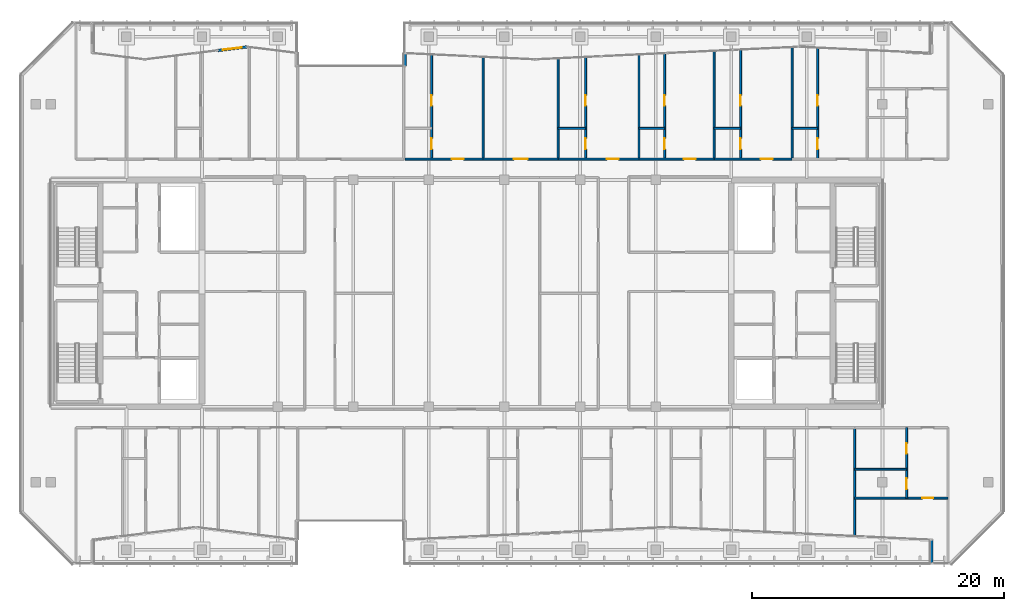
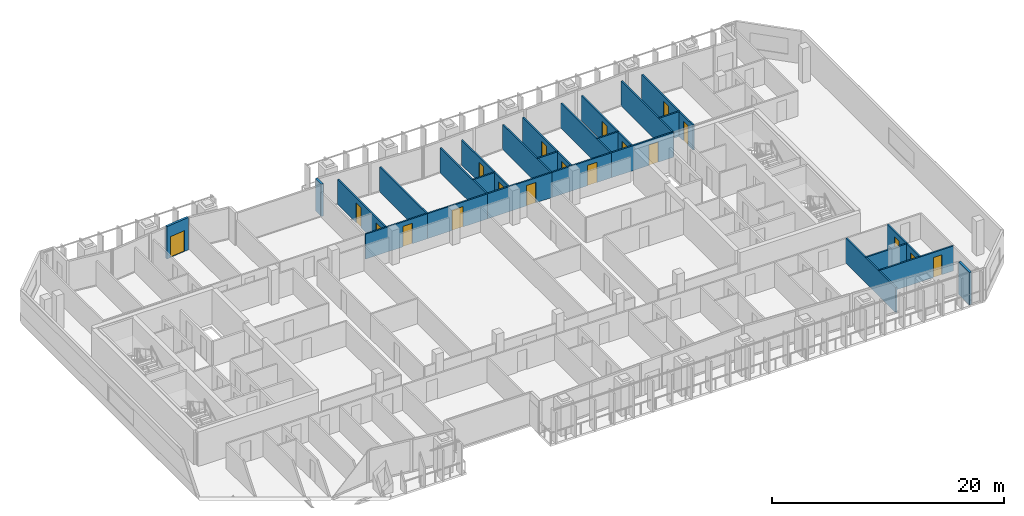
# One storey, part 24 of 31: 26 walls, 19 doors, 19 openings.
"""IFC4 building model written with IfcOpenShell, lengths in metres."""

from ifc_helpers import new_model, si_unit, direction, frame, frame_2d, origin, place, context, subcontext, project, spatial, rectangle, extrude, material, layer, layer_set, type_object, element, fill, save


model = new_model("IFC4")

# Units and contexts
model_context = context("Model", 3, precision=1e-05, world=origin(), true_north=direction((0.0, 1.0)))
body_context = subcontext(model_context, "Body", "Model", "MODEL_VIEW")
ifc_project = project(units=[si_unit("LENGTHUNIT", "METRE"), si_unit("AREAUNIT", "SQUARE_METRE"), si_unit("VOLUMEUNIT", "CUBIC_METRE"), si_unit("PLANEANGLEUNIT", "RADIAN"), si_unit("MASSUNIT", "GRAM", prefix="KILO")], contexts=[model_context])

# Site, building, storey
site_placement = place(None, origin())
site = spatial("IfcSite", under=ifc_project, at=site_placement, CompositionType="ELEMENT")
building_placement = place(site_placement, origin())
building = spatial("IfcBuilding", under=site, at=building_placement, Name="Tanjung Sevakor Pilgrim Tower", CompositionType="ELEMENT")
storey_placement = place(building_placement, frame((0.0, 0.0, 208.22998046875)))
storey = spatial("IfcBuildingStorey", under=building, at=storey_placement, Name="L58", CompositionType="ELEMENT", Elevation=208.22998046875)

# Walls
ifc_material_1 = material(Name="Concrete C40/50", Category="concrete")
ifc_layer_1 = layer(ifc_material_1, 0.14990234375)
ifc_layer_set_1 = layer_set([ifc_layer_1], Name="WT-COMP-150")
wall_type_1 = type_object("IfcWallType", Name="WT-COMP-150", PredefinedType="SOLIDWALL", material=ifc_layer_set_1)
wall_1_placement = place(storey_placement, frame((87.79150390625, 14.32763671875, 0.0), z_axis=(0.0, 0.0, 1.0), x_axis=(0.0, 1.0, 0.0)))
element("IfcWall", 1, at=wall_1_placement, inside=storey, type_object=wall_type_1, Name="L58 Partition IW-L58-086", PredefinedType="SOLIDWALL", context=body_context, shape_type="SweptSolid", body=[
    extrude(rectangle(XDim=8.622314453125, YDim=0.14990234375, at=frame_2d((4.31103515625, 0.0))), origin(), (0.0, 0.0, 1.0), 2.6298828125),
])
wall_2_placement = place(storey_placement, frame((58.306884765625, 44.25, 0.0), z_axis=(0.0, 0.0, 1.0), x_axis=(0.0, 1.0, 0.0)))
element("IfcWall", 2, at=wall_2_placement, inside=storey, type_object=wall_type_1, Name="L58 Partition IW-L58-105", PredefinedType="SOLIDWALL", context=body_context, shape_type="SweptSolid", body=[
    extrude(rectangle(XDim=8.108154296875, YDim=0.14990234375, at=frame_2d((4.05419921875, 0.0))), origin(), (0.0, 0.0, 1.0), 2.6298828125),
])

# Wall, opening, door
wall_3_placement = place(storey_placement, frame((52.1201171875, 44.25, 0.0), z_axis=(0.0, 0.0, 1.0), x_axis=(1.0, 0.0, 0.0)))
wall_3 = element("IfcWall", 3, at=wall_3_placement, inside=storey, type_object=wall_type_1, Name="L58 Partition IW-L58-108", PredefinedType="SOLIDWALL", context=body_context, shape_type="SweptSolid", body=[
    extrude(rectangle(XDim=6.186767578125, YDim=0.14990234375, at=frame_2d((3.09326171875, 0.0))), origin(), (0.0, 0.0, 1.0), 2.6298828125),
])
opening_1_placement = place(wall_3_placement, frame((3.710205078125, 0.0, 0.0)))
opening_1 = element("IfcOpeningElement", 4, at=opening_1_placement, cuts=wall_3, Name="Opening ID-FD2", PredefinedType="OPENING", context=body_context, shape_type="SweptSolid", body=[
    extrude(rectangle(XDim=0.949951171875, YDim=2.14990234375, at=frame_2d((0.47509765625, 1.074951171875))), frame((0.0, 0.0849609375, 0.0), z_axis=(0.0, -1.0, 0.0), x_axis=(1.0, 0.0, 0.0)), (0.0, 0.0, 1.0), 0.169921875),
])
ifc_material_2 = material(Name="Fire-Rated Timber", Category="wood")
door_type_1 = type_object("IfcDoorType", Name="DT-FIRE-950", OperationType="NOTDEFINED", PredefinedType="DOOR", material=ifc_material_2)
door_1_placement = place(opening_1_placement, origin())
door_1 = element("IfcDoor", 5, at=door_1_placement, inside=storey, type_object=door_type_1, Name="Hostel Quad Entrance", OperationType="SINGLE_SWING_LEFT", OverallHeight=2.14990234375, OverallWidth=0.949951171875, PredefinedType="DOOR", context=body_context, shape_type="SweptSolid", body=[
    extrude(rectangle(XDim=0.949951171875, YDim=2.14990234375, at=frame_2d((0.47509765625, 1.074951171875))), frame((0.0, 0.02490234375, 0.0), z_axis=(0.0, -1.0, 0.0), x_axis=(1.0, 0.0, 0.0)), (0.0, 0.0, 1.0), 0.050048828125),
])
fill(opening_1, door_1)

# Wall
wall_4_placement = place(storey_placement, frame((64.264892578125, 44.25, 0.0), z_axis=(0.0, 0.0, 1.0), x_axis=(0.0, 1.0, 0.0)))
element("IfcWall", 6, at=wall_4_placement, inside=storey, type_object=wall_type_1, Name="L58 Partition IW-L58-109", PredefinedType="SOLIDWALL", context=body_context, shape_type="SweptSolid", body=[
    extrude(rectangle(XDim=7.99658203125, YDim=0.14990234375, at=frame_2d((3.998291015625, 0.0))), origin(), (0.0, 0.0, 1.0), 2.6298828125),
])

# Wall, opening, door
wall_5_placement = place(storey_placement, frame((58.306884765625, 44.25, 0.0), z_axis=(0.0, 0.0, 1.0), x_axis=(1.0, 0.0, 0.0)))
wall_5 = element("IfcWall", 7, at=wall_5_placement, inside=storey, type_object=wall_type_1, Name="L58 Partition IW-L58-110", PredefinedType="SOLIDWALL", context=body_context, shape_type="SweptSolid", body=[
    extrude(rectangle(XDim=5.9580078125, YDim=0.14990234375, at=frame_2d((2.97900390625, 0.0))), origin(), (0.0, 0.0, 1.0), 2.6298828125),
])
opening_2_placement = place(wall_5_placement, frame((2.428955078125, 0.0, 0.0)))
opening_2 = element("IfcOpeningElement", 8, at=opening_2_placement, cuts=wall_5, Name="Opening ID-FD0", PredefinedType="OPENING", context=body_context, shape_type="SweptSolid", body=[
    extrude(rectangle(XDim=1.10009765625, YDim=2.14990234375, at=frame_2d((0.550048828125, 1.074951171875))), frame((0.0, 0.0849609375, 0.0), z_axis=(0.0, -1.0, 0.0), x_axis=(1.0, 0.0, 0.0)), (0.0, 0.0, 1.0), 0.169921875),
])
ifc_material_3 = material(Name="Fire-Rated Steel S355J2", Category="steel")
door_type_2 = type_object("IfcDoorType", Name="DT-FIRE-1100", OperationType="NOTDEFINED", PredefinedType="DOOR", material=ifc_material_3)
door_2_placement = place(opening_2_placement, origin())
door_2 = element("IfcDoor", 9, at=door_2_placement, inside=storey, type_object=door_type_2, Name="Communal Lounge Door", OperationType="SINGLE_SWING_RIGHT", OverallHeight=2.14990234375, OverallWidth=1.10009765625, PredefinedType="DOOR", context=body_context, shape_type="SweptSolid", body=[
    extrude(rectangle(XDim=1.10009765625, YDim=2.14990234375, at=frame_2d((0.550048828125, 1.074951171875))), frame((0.0, 0.02490234375, 0.0), z_axis=(0.0, -1.0, 0.0), x_axis=(1.0, 0.0, 0.0)), (0.0, 0.0, 1.0), 0.050048828125),
])
fill(opening_2, door_2)

# Wall
wall_6_placement = place(storey_placement, frame((70.68115234375, 44.25, 0.0), z_axis=(0.0, 0.0, 1.0), x_axis=(0.0, 1.0, 0.0)))
element("IfcWall", 10, at=wall_6_placement, inside=storey, type_object=wall_type_1, Name="L58 Partition IW-L58-111", PredefinedType="SOLIDWALL", context=body_context, shape_type="SweptSolid", body=[
    extrude(rectangle(XDim=8.3037109375, YDim=0.14990234375, at=frame_2d((4.15185546875, 0.0))), origin(), (0.0, 0.0, 1.0), 2.6298828125),
])

# Wall, opening, door
wall_7_placement = place(storey_placement, frame((64.264892578125, 44.25, 0.0), z_axis=(0.0, 0.0, 1.0), x_axis=(1.0, 0.0, 0.0)))
wall_7 = element("IfcWall", 11, at=wall_7_placement, inside=storey, type_object=wall_type_1, Name="L58 Partition IW-L58-114", PredefinedType="SOLIDWALL", context=body_context, shape_type="SweptSolid", body=[
    extrude(rectangle(XDim=6.416259765625, YDim=0.14990234375, at=frame_2d((3.2080078125, 0.0))), origin(), (0.0, 0.0, 1.0), 2.6298828125),
])
opening_3_placement = place(wall_7_placement, frame((3.86376953125, 0.0, 0.0)))
opening_3 = element("IfcOpeningElement", 12, at=opening_3_placement, cuts=wall_7, Name="Opening ID-FD2", PredefinedType="OPENING", context=body_context, shape_type="SweptSolid", body=[
    extrude(rectangle(XDim=0.949951171875, YDim=2.14990234375, at=frame_2d((0.47509765625, 1.074951171875))), frame((0.0, 0.0849609375, 0.0), z_axis=(0.0, -1.0, 0.0), x_axis=(1.0, 0.0, 0.0)), (0.0, 0.0, 1.0), 0.169921875),
])
door_3_placement = place(opening_3_placement, origin())
door_3 = element("IfcDoor", 13, at=door_3_placement, inside=storey, type_object=door_type_1, Name="Hostel Quad Entrance", OperationType="SINGLE_SWING_LEFT", OverallHeight=2.14990234375, OverallWidth=0.949951171875, PredefinedType="DOOR", context=body_context, shape_type="SweptSolid", body=[
    extrude(rectangle(XDim=0.949951171875, YDim=2.14990234375, at=frame_2d((0.47509765625, 1.074951171875))), frame((0.0, 0.02490234375, 0.0), z_axis=(0.0, -1.0, 0.0), x_axis=(1.0, 0.0, 0.0)), (0.0, 0.0, 1.0), 0.050048828125),
])
fill(opening_3, door_3)

# Wall
wall_8_placement = place(storey_placement, frame((76.638916015625, 44.25, 0.0), z_axis=(0.0, 0.0, 1.0), x_axis=(0.0, 1.0, 0.0)))
element("IfcWall", 14, at=wall_8_placement, inside=storey, type_object=wall_type_1, Name="L58 Partition IW-L58-115", PredefinedType="SOLIDWALL", context=body_context, shape_type="SweptSolid", body=[
    extrude(rectangle(XDim=8.5888671875, YDim=0.14990234375, at=frame_2d((4.29443359375, 0.0))), origin(), (0.0, 0.0, 1.0), 2.6298828125),
])

# Wall, opening, door
wall_9_placement = place(storey_placement, frame((70.68115234375, 44.25, 0.0), z_axis=(0.0, 0.0, 1.0), x_axis=(1.0, 0.0, 0.0)))
wall_9 = element("IfcWall", 15, at=wall_9_placement, inside=storey, type_object=wall_type_1, Name="L58 Partition IW-L58-118", PredefinedType="SOLIDWALL", context=body_context, shape_type="SweptSolid", body=[
    extrude(rectangle(XDim=5.957763671875, YDim=0.14990234375, at=frame_2d((2.97900390625, 0.0))), origin(), (0.0, 0.0, 1.0), 2.6298828125),
])
opening_4_placement = place(wall_9_placement, frame((3.556884765625, 0.0, 0.0)))
opening_4 = element("IfcOpeningElement", 16, at=opening_4_placement, cuts=wall_9, Name="Opening ID-FD2", PredefinedType="OPENING", context=body_context, shape_type="SweptSolid", body=[
    extrude(rectangle(XDim=0.949951171875, YDim=2.14990234375, at=frame_2d((0.47509765625, 1.074951171875))), frame((0.0, 0.0849609375, 0.0), z_axis=(0.0, -1.0, 0.0), x_axis=(1.0, 0.0, 0.0)), (0.0, 0.0, 1.0), 0.169921875),
])
door_4_placement = place(opening_4_placement, origin())
door_4 = element("IfcDoor", 17, at=door_4_placement, inside=storey, type_object=door_type_1, Name="Hostel Quad Entrance", OperationType="SINGLE_SWING_RIGHT", OverallHeight=2.14990234375, OverallWidth=0.949951171875, PredefinedType="DOOR", context=body_context, shape_type="SweptSolid", body=[
    extrude(rectangle(XDim=0.949951171875, YDim=2.14990234375, at=frame_2d((0.47509765625, 1.074951171875))), frame((0.0, 0.02490234375, 0.0), z_axis=(0.0, -1.0, 0.0), x_axis=(1.0, 0.0, 0.0)), (0.0, 0.0, 1.0), 0.050048828125),
])
fill(opening_4, door_4)

# Wall
wall_10_placement = place(storey_placement, frame((82.825927734375, 44.25, 0.0), z_axis=(0.0, 0.0, 1.0), x_axis=(0.0, 1.0, 0.0)))
element("IfcWall", 18, at=wall_10_placement, inside=storey, type_object=wall_type_1, Name="L58 Partition IW-L58-119", PredefinedType="SOLIDWALL", context=body_context, shape_type="SweptSolid", body=[
    extrude(rectangle(XDim=8.884765625, YDim=0.14990234375, at=frame_2d((4.4423828125, 0.0))), origin(), (0.0, 0.0, 1.0), 2.6298828125),
])

# Wall, opening, door
wall_11_placement = place(storey_placement, frame((76.638916015625, 44.25, 0.0), z_axis=(0.0, 0.0, 1.0), x_axis=(1.0, 0.0, 0.0)))
wall_11 = element("IfcWall", 19, at=wall_11_placement, inside=storey, type_object=wall_type_1, Name="L58 Partition IW-L58-122", PredefinedType="SOLIDWALL", context=body_context, shape_type="SweptSolid", body=[
    extrude(rectangle(XDim=6.18701171875, YDim=0.14990234375, at=frame_2d((3.093505859375, 0.0))), origin(), (0.0, 0.0, 1.0), 2.6298828125),
])
opening_5_placement = place(wall_11_placement, frame((3.710205078125, 0.0, 0.0)))
opening_5 = element("IfcOpeningElement", 20, at=opening_5_placement, cuts=wall_11, Name="Opening ID-FD2", PredefinedType="OPENING", context=body_context, shape_type="SweptSolid", body=[
    extrude(rectangle(XDim=0.949951171875, YDim=2.14990234375, at=frame_2d((0.47509765625, 1.074951171875))), frame((0.0, 0.0849609375, 0.0), z_axis=(0.0, -1.0, 0.0), x_axis=(1.0, 0.0, 0.0)), (0.0, 0.0, 1.0), 0.169921875),
])
door_5_placement = place(opening_5_placement, origin())
door_5 = element("IfcDoor", 21, at=door_5_placement, inside=storey, type_object=door_type_1, Name="Hostel Quad Entrance", OperationType="SINGLE_SWING_LEFT", OverallHeight=2.14990234375, OverallWidth=0.949951171875, PredefinedType="DOOR", context=body_context, shape_type="SweptSolid", body=[
    extrude(rectangle(XDim=0.949951171875, YDim=2.14990234375, at=frame_2d((0.47509765625, 1.074951171875))), frame((0.0, 0.02490234375, 0.0), z_axis=(0.0, -1.0, 0.0), x_axis=(1.0, 0.0, 0.0)), (0.0, 0.0, 1.0), 0.050048828125),
])
fill(opening_5, door_5)

# Walls
ifc_material_4 = material(Name="Precast concrete C45/55", Category="concrete")
ifc_layer_2 = layer(ifc_material_4, 0.219970703125)
ifc_layer_set_2 = layer_set([ifc_layer_2], Name="WT-EW-STN4")
wall_type_2 = type_object("IfcWallType", Name="WT-EW-STN4", PredefinedType="SOLIDWALL", material=ifc_layer_set_2)
wall_12_placement = place(storey_placement, frame((93.909912109375, 14.034912109375, 0.0), z_axis=(0.0, 0.0, 1.0), x_axis=(0.0, -1.0, 0.0)))
element("IfcWall", 22, at=wall_12_placement, inside=storey, type_object=wall_type_2, Name="L58 MAIN Exterior Wall 14", PredefinedType="SOLIDWALL", context=body_context, shape_type="SweptSolid", body=[
    extrude(rectangle(XDim=1.875, YDim=0.219970703125, at=frame_2d((0.9375, 0.0))), origin(), (0.0, 0.0, 1.0), 3.409912109375),
])
wall_13_placement = place(storey_placement, frame((52.110107421875, 52.654541015625, 0.0), z_axis=(0.0, 0.0, 1.0), x_axis=(0.0, -1.0, 0.0)))
element("IfcWall", 23, at=wall_13_placement, inside=storey, type_object=wall_type_2, Name="L58 MAIN Exterior Wall 25", PredefinedType="SOLIDWALL", context=body_context, shape_type="SweptSolid", body=[
    extrude(rectangle(XDim=1.0146484375, YDim=0.219970703125, at=frame_2d((0.50732421875, 0.0))), origin(), (0.0, 0.0, 1.0), 3.409912109375),
])

# Wall, opening, door
wall_14_placement = place(storey_placement, frame((39.550048828125, 53.1591796875, 0.0), z_axis=(0.0, 0.0, 1.0), x_axis=(-0.992470150867, -0.122486732494, 0.0)))
wall_14 = element("IfcWall", 24, at=wall_14_placement, inside=storey, type_object=wall_type_2, Name="L58 S-Curve Terrace Threshold Wall 28", PredefinedType="SOLIDWALL", context=body_context, shape_type="SweptSolid", body=[
    extrude(rectangle(XDim=2.31005859375, YDim=0.219970703125, at=frame_2d((1.155029296875, 0.0))), origin(), (0.0, 0.0, 1.0), 3.409912109375),
])
opening_6_placement = place(wall_14_placement, frame((0.405029296875, 0.0, 0.0)))
opening_6 = element("IfcOpeningElement", 25, at=opening_6_placement, cuts=wall_14, Name="Opening ED-TER-1500", PredefinedType="OPENING", context=body_context, shape_type="SweptSolid", body=[
    extrude(rectangle(XDim=1.5, YDim=2.199951171875, at=frame_2d((0.75, 1.10009765625))), frame((0.0, 0.119873046875, 0.0), z_axis=(0.0, -1.0, 0.0), x_axis=(1.0, 0.0, 0.0)), (0.0, 0.0, 1.0), 0.239990234375),
])
ifc_material_5 = material(Name="Anodised Aluminium and Laminated Glass", Category="aluminium")
door_type_3 = type_object("IfcDoorType", Name="DTYP-ED-TER-1500", OperationType="DOUBLE_DOOR_SINGLE_SWING", PredefinedType="DOOR", material=ifc_material_5)
door_6_placement = place(opening_6_placement, frame((1.5, 0.0, 0.0), z_axis=(0.0, 0.0, 1.0), x_axis=(-1.0, 0.0, 0.0)))
door_6 = element("IfcDoor", 26, at=door_6_placement, inside=storey, type_object=door_type_3, Name="L58 S-Curve Terrace Access Door 28", OperationType="SINGLE_SWING_RIGHT", OverallHeight=2.199951171875, OverallWidth=1.5, PredefinedType="DOOR", context=body_context, shape_type="SweptSolid", body=[
    extrude(rectangle(XDim=1.5, YDim=2.199951171875, at=frame_2d((0.75, 1.10009765625))), frame((0.0, 0.02490234375, 0.0), z_axis=(0.0, -1.0, 0.0), x_axis=(1.0, 0.0, 0.0)), (0.0, 0.0, 1.0), 0.050048828125),
])
fill(opening_6, door_6)

# Wall
ifc_material_6 = material(Name="Gypsum Board Partition", Category="gypsum board")
ifc_layer_3 = layer(ifc_material_6, 0.14990234375)
ifc_layer_set_3 = layer_set([ifc_layer_3], Name="WT-PART-150")
wall_type_3 = type_object("IfcWallType", Name="WT-PART-150", PredefinedType="PARTITIONING", material=ifc_layer_set_3)
wall_15_placement = place(storey_placement, frame((87.79150390625, 19.64599609375, 0.0), z_axis=(0.0, 0.0, 1.0), x_axis=(1.0, 0.0, 0.0)))
element("IfcWall", 27, at=wall_15_placement, inside=storey, type_object=wall_type_3, Name="L58 Partition IW-L58-090", PredefinedType="PARTITIONING", context=body_context, shape_type="SweptSolid", body=[
    extrude(rectangle(XDim=4.12841796875, YDim=0.14990234375, at=frame_2d((2.064208984375, 0.0))), origin(), (0.0, 0.0, 1.0), 2.6298828125),
])

# Wall, openings, doors
wall_16_placement = place(storey_placement, frame((91.919921875, 17.35009765625, 0.0), z_axis=(0.0, 0.0, 1.0), x_axis=(0.0, 1.0, 0.0)))
wall_16 = element("IfcWall", 28, at=wall_16_placement, inside=storey, type_object=wall_type_3, Name="L58 Partition IW-L58-091", PredefinedType="PARTITIONING", context=body_context, shape_type="SweptSolid", body=[
    extrude(rectangle(XDim=5.599853515625, YDim=0.14990234375, at=frame_2d((2.7998046875, 0.0))), origin(), (0.0, 0.0, 1.0), 2.6298828125),
])
opening_7_placement = place(wall_16_placement, frame((0.722900390625, 0.0, 0.0)))
opening_7 = element("IfcOpeningElement", 29, at=opening_7_placement, cuts=wall_16, Name="Opening ID-WC1", PredefinedType="OPENING", context=body_context, shape_type="SweptSolid", body=[
    extrude(rectangle(XDim=0.85009765625, YDim=2.10009765625, at=frame_2d((0.425048828125, 1.050048828125))), frame((0.0, 0.0849609375, 0.0), z_axis=(0.0, -1.0, 0.0), x_axis=(1.0, 0.0, 0.0)), (0.0, 0.0, 1.0), 0.169921875),
])
opening_8_placement = place(wall_16_placement, frame((3.52294921875, 0.0, 0.0)))
opening_8 = element("IfcOpeningElement", 30, at=opening_8_placement, cuts=wall_16, Name="Opening ID-WC1", PredefinedType="OPENING", context=body_context, shape_type="SweptSolid", body=[
    extrude(rectangle(XDim=0.85009765625, YDim=2.10009765625, at=frame_2d((0.425048828125, 1.050048828125))), frame((0.0, 0.0849609375, 0.0), z_axis=(0.0, -1.0, 0.0), x_axis=(1.0, 0.0, 0.0)), (0.0, 0.0, 1.0), 0.169921875),
])
ifc_material_7 = material(Name="Moisture-Resistant Timber", Category="wood")
door_type_4 = type_object("IfcDoorType", Name="DT-INT-850", OperationType="NOTDEFINED", PredefinedType="DOOR", material=ifc_material_7)
door_7_placement = place(opening_7_placement, origin())
door_7 = element("IfcDoor", 31, at=door_7_placement, inside=storey, type_object=door_type_4, Name="Residence Bathroom Door", OperationType="SINGLE_SWING_LEFT", OverallHeight=2.10009765625, OverallWidth=0.85009765625, PredefinedType="DOOR", context=body_context, shape_type="SweptSolid", body=[
    extrude(rectangle(XDim=0.85009765625, YDim=2.10009765625, at=frame_2d((0.425048828125, 1.050048828125))), frame((0.0, 0.02490234375, 0.0), z_axis=(0.0, -1.0, 0.0), x_axis=(1.0, 0.0, 0.0)), (0.0, 0.0, 1.0), 0.050048828125),
])
fill(opening_7, door_7)
door_8_placement = place(opening_8_placement, origin())
door_8 = element("IfcDoor", 32, at=door_8_placement, inside=storey, type_object=door_type_4, Name="Residence Kitchenette Door", OperationType="SINGLE_SWING_RIGHT", OverallHeight=2.10009765625, OverallWidth=0.85009765625, PredefinedType="DOOR", context=body_context, shape_type="SweptSolid", body=[
    extrude(rectangle(XDim=0.85009765625, YDim=2.10009765625, at=frame_2d((0.425048828125, 1.050048828125))), frame((0.0, 0.02490234375, 0.0), z_axis=(0.0, -1.0, 0.0), x_axis=(1.0, 0.0, 0.0)), (0.0, 0.0, 1.0), 0.050048828125),
])
fill(opening_8, door_8)

# Wall, opening, door
wall_17_placement = place(storey_placement, frame((87.79150390625, 17.35009765625, 0.0), z_axis=(0.0, 0.0, 1.0), x_axis=(1.0, 0.0, 0.0)))
wall_17 = element("IfcWall", 33, at=wall_17_placement, inside=storey, type_object=wall_type_3, Name="L58 Partition IW-L58-092", PredefinedType="PARTITIONING", context=body_context, shape_type="SweptSolid", body=[
    extrude(rectangle(XDim=7.408447265625, YDim=0.14990234375, at=frame_2d((3.7041015625, 0.0))), origin(), (0.0, 0.0, 1.0), 2.6298828125),
])
opening_9_placement = place(wall_17_placement, frame((5.383544921875, 0.0, 0.0)))
opening_9 = element("IfcOpeningElement", 34, at=opening_9_placement, cuts=wall_17, Name="Opening ID-WC1", PredefinedType="OPENING", context=body_context, shape_type="SweptSolid", body=[
    extrude(rectangle(XDim=0.85009765625, YDim=2.10009765625, at=frame_2d((0.425048828125, 1.050048828125))), frame((0.0, 0.0849609375, 0.0), z_axis=(0.0, -1.0, 0.0), x_axis=(1.0, 0.0, 0.0)), (0.0, 0.0, 1.0), 0.169921875),
])
door_9_placement = place(opening_9_placement, origin())
door_9 = element("IfcDoor", 35, at=door_9_placement, inside=storey, type_object=door_type_4, Name="Residence Bedroom Door", OperationType="SINGLE_SWING_LEFT", OverallHeight=2.10009765625, OverallWidth=0.85009765625, PredefinedType="DOOR", context=body_context, shape_type="SweptSolid", body=[
    extrude(rectangle(XDim=0.85009765625, YDim=2.10009765625, at=frame_2d((0.425048828125, 1.050048828125))), frame((0.0, 0.02490234375, 0.0), z_axis=(0.0, -1.0, 0.0), x_axis=(1.0, 0.0, 0.0)), (0.0, 0.0, 1.0), 0.050048828125),
])
fill(opening_9, door_9)

# Wall, openings, doors
wall_18_placement = place(storey_placement, frame((54.2236328125, 44.25, 0.0), z_axis=(0.0, 0.0, 1.0), x_axis=(0.0, 1.0, 0.0)))
wall_18 = element("IfcWall", 36, at=wall_18_placement, inside=storey, type_object=wall_type_3, Name="L58 Partition IW-L58-107", PredefinedType="PARTITIONING", context=body_context, shape_type="SweptSolid", body=[
    extrude(rectangle(XDim=8.303466796875, YDim=0.14990234375, at=frame_2d((4.15185546875, 0.0))), origin(), (0.0, 0.0, 1.0), 2.6298828125),
])
opening_10_placement = place(wall_18_placement, frame((0.800048828125, 0.0, 0.0)))
opening_10 = element("IfcOpeningElement", 37, at=opening_10_placement, cuts=wall_18, Name="Opening ID-WC1", PredefinedType="OPENING", context=body_context, shape_type="SweptSolid", body=[
    extrude(rectangle(XDim=0.85009765625, YDim=2.10009765625, at=frame_2d((0.425048828125, 1.050048828125))), frame((0.0, 0.0849609375, 0.0), z_axis=(0.0, -1.0, 0.0), x_axis=(1.0, 0.0, 0.0)), (0.0, 0.0, 1.0), 0.169921875),
])
opening_11_placement = place(wall_18_placement, frame((4.22998046875, 0.0, 0.0)))
opening_11 = element("IfcOpeningElement", 38, at=opening_11_placement, cuts=wall_18, Name="Opening ID-WC1", PredefinedType="OPENING", context=body_context, shape_type="SweptSolid", body=[
    extrude(rectangle(XDim=0.85009765625, YDim=2.10009765625, at=frame_2d((0.425048828125, 1.050048828125))), frame((0.0, 0.0849609375, 0.0), z_axis=(0.0, -1.0, 0.0), x_axis=(1.0, 0.0, 0.0)), (0.0, 0.0, 1.0), 0.169921875),
])
door_10_placement = place(opening_10_placement, origin())
door_10 = element("IfcDoor", 39, at=door_10_placement, inside=storey, type_object=door_type_4, Name="Bathroom Door", OperationType="SINGLE_SWING_LEFT", OverallHeight=2.10009765625, OverallWidth=0.85009765625, PredefinedType="DOOR", context=body_context, shape_type="SweptSolid", body=[
    extrude(rectangle(XDim=0.85009765625, YDim=2.10009765625, at=frame_2d((0.425048828125, 1.050048828125))), frame((0.0, 0.02490234375, 0.0), z_axis=(0.0, -1.0, 0.0), x_axis=(1.0, 0.0, 0.0)), (0.0, 0.0, 1.0), 0.050048828125),
])
fill(opening_10, door_10)
door_11_placement = place(opening_11_placement, origin())
door_11 = element("IfcDoor", 40, at=door_11_placement, inside=storey, type_object=door_type_4, Name="Study Nook Door", OperationType="SINGLE_SWING_RIGHT", OverallHeight=2.10009765625, OverallWidth=0.85009765625, PredefinedType="DOOR", context=body_context, shape_type="SweptSolid", body=[
    extrude(rectangle(XDim=0.85009765625, YDim=2.10009765625, at=frame_2d((0.425048828125, 1.050048828125))), frame((0.0, 0.02490234375, 0.0), z_axis=(0.0, -1.0, 0.0), x_axis=(1.0, 0.0, 0.0)), (0.0, 0.0, 1.0), 0.050048828125),
])
fill(opening_11, door_11)

# Wall
wall_19_placement = place(storey_placement, frame((64.264892578125, 46.699951171875, 0.0), z_axis=(0.0, 0.0, 1.0), x_axis=(1.0, 0.0, 0.0)))
element("IfcWall", 41, at=wall_19_placement, inside=storey, type_object=wall_type_3, Name="L58 Partition IW-L58-112", PredefinedType="PARTITIONING", context=body_context, shape_type="SweptSolid", body=[
    extrude(rectangle(XDim=2.181396484375, YDim=0.14990234375, at=frame_2d((1.0908203125, 0.0))), origin(), (0.0, 0.0, 1.0), 2.6298828125),
])

# Wall, openings, doors
wall_20_placement = place(storey_placement, frame((66.4462890625, 44.25, 0.0), z_axis=(0.0, 0.0, 1.0), x_axis=(0.0, 1.0, 0.0)))
wall_20 = element("IfcWall", 42, at=wall_20_placement, inside=storey, type_object=wall_type_3, Name="L58 Partition IW-L58-113", PredefinedType="PARTITIONING", context=body_context, shape_type="SweptSolid", body=[
    extrude(rectangle(XDim=8.10107421875, YDim=0.14990234375, at=frame_2d((4.050537109375, 0.0))), origin(), (0.0, 0.0, 1.0), 2.6298828125),
])
opening_12_placement = place(wall_20_placement, frame((0.800048828125, 0.0, 0.0)))
opening_12 = element("IfcOpeningElement", 43, at=opening_12_placement, cuts=wall_20, Name="Opening ID-WC1", PredefinedType="OPENING", context=body_context, shape_type="SweptSolid", body=[
    extrude(rectangle(XDim=0.85009765625, YDim=2.10009765625, at=frame_2d((0.425048828125, 1.050048828125))), frame((0.0, 0.0849609375, 0.0), z_axis=(0.0, -1.0, 0.0), x_axis=(1.0, 0.0, 0.0)), (0.0, 0.0, 1.0), 0.169921875),
])
opening_13_placement = place(wall_20_placement, frame((4.22998046875, 0.0, 0.0)))
opening_13 = element("IfcOpeningElement", 44, at=opening_13_placement, cuts=wall_20, Name="Opening ID-WC1", PredefinedType="OPENING", context=body_context, shape_type="SweptSolid", body=[
    extrude(rectangle(XDim=0.85009765625, YDim=2.10009765625, at=frame_2d((0.425048828125, 1.050048828125))), frame((0.0, 0.0849609375, 0.0), z_axis=(0.0, -1.0, 0.0), x_axis=(1.0, 0.0, 0.0)), (0.0, 0.0, 1.0), 0.169921875),
])
door_12_placement = place(opening_12_placement, origin())
door_12 = element("IfcDoor", 45, at=door_12_placement, inside=storey, type_object=door_type_4, Name="Bathroom Door", OperationType="SINGLE_SWING_LEFT", OverallHeight=2.10009765625, OverallWidth=0.85009765625, PredefinedType="DOOR", context=body_context, shape_type="SweptSolid", body=[
    extrude(rectangle(XDim=0.85009765625, YDim=2.10009765625, at=frame_2d((0.425048828125, 1.050048828125))), frame((0.0, 0.02490234375, 0.0), z_axis=(0.0, -1.0, 0.0), x_axis=(1.0, 0.0, 0.0)), (0.0, 0.0, 1.0), 0.050048828125),
])
fill(opening_12, door_12)
door_13_placement = place(opening_13_placement, origin())
door_13 = element("IfcDoor", 46, at=door_13_placement, inside=storey, type_object=door_type_4, Name="Study Nook Door", OperationType="SINGLE_SWING_RIGHT", OverallHeight=2.10009765625, OverallWidth=0.85009765625, PredefinedType="DOOR", context=body_context, shape_type="SweptSolid", body=[
    extrude(rectangle(XDim=0.85009765625, YDim=2.10009765625, at=frame_2d((0.425048828125, 1.050048828125))), frame((0.0, 0.02490234375, 0.0), z_axis=(0.0, -1.0, 0.0), x_axis=(1.0, 0.0, 0.0)), (0.0, 0.0, 1.0), 0.050048828125),
])
fill(opening_13, door_13)

# Wall
wall_21_placement = place(storey_placement, frame((70.68115234375, 46.699951171875, 0.0), z_axis=(0.0, 0.0, 1.0), x_axis=(1.0, 0.0, 0.0)))
element("IfcWall", 47, at=wall_21_placement, inside=storey, type_object=wall_type_3, Name="L58 Partition IW-L58-116", PredefinedType="PARTITIONING", context=body_context, shape_type="SweptSolid", body=[
    extrude(rectangle(XDim=2.025634765625, YDim=0.14990234375, at=frame_2d((1.0126953125, 0.0))), origin(), (0.0, 0.0, 1.0), 2.6298828125),
])

# Wall, openings, doors
wall_22_placement = place(storey_placement, frame((72.706787109375, 44.25, 0.0), z_axis=(0.0, 0.0, 1.0), x_axis=(0.0, 1.0, 0.0)))
wall_22 = element("IfcWall", 48, at=wall_22_placement, inside=storey, type_object=wall_type_3, Name="L58 Partition IW-L58-117", PredefinedType="PARTITIONING", context=body_context, shape_type="SweptSolid", body=[
    extrude(rectangle(XDim=8.400634765625, YDim=0.14990234375, at=frame_2d((4.2001953125, 0.0))), origin(), (0.0, 0.0, 1.0), 2.6298828125),
])
opening_14_placement = place(wall_22_placement, frame((0.800048828125, 0.0, 0.0)))
opening_14 = element("IfcOpeningElement", 49, at=opening_14_placement, cuts=wall_22, Name="Opening ID-WC1", PredefinedType="OPENING", context=body_context, shape_type="SweptSolid", body=[
    extrude(rectangle(XDim=0.85009765625, YDim=2.10009765625, at=frame_2d((0.425048828125, 1.050048828125))), frame((0.0, 0.0849609375, 0.0), z_axis=(0.0, -1.0, 0.0), x_axis=(1.0, 0.0, 0.0)), (0.0, 0.0, 1.0), 0.169921875),
])
opening_15_placement = place(wall_22_placement, frame((4.22998046875, 0.0, 0.0)))
opening_15 = element("IfcOpeningElement", 50, at=opening_15_placement, cuts=wall_22, Name="Opening ID-WC1", PredefinedType="OPENING", context=body_context, shape_type="SweptSolid", body=[
    extrude(rectangle(XDim=0.85009765625, YDim=2.10009765625, at=frame_2d((0.425048828125, 1.050048828125))), frame((0.0, 0.0849609375, 0.0), z_axis=(0.0, -1.0, 0.0), x_axis=(1.0, 0.0, 0.0)), (0.0, 0.0, 1.0), 0.169921875),
])
door_14_placement = place(opening_14_placement, origin())
door_14 = element("IfcDoor", 51, at=door_14_placement, inside=storey, type_object=door_type_4, Name="Bathroom Door", OperationType="SINGLE_SWING_RIGHT", OverallHeight=2.10009765625, OverallWidth=0.85009765625, PredefinedType="DOOR", context=body_context, shape_type="SweptSolid", body=[
    extrude(rectangle(XDim=0.85009765625, YDim=2.10009765625, at=frame_2d((0.425048828125, 1.050048828125))), frame((0.0, 0.02490234375, 0.0), z_axis=(0.0, -1.0, 0.0), x_axis=(1.0, 0.0, 0.0)), (0.0, 0.0, 1.0), 0.050048828125),
])
fill(opening_14, door_14)
door_15_placement = place(opening_15_placement, origin())
door_15 = element("IfcDoor", 52, at=door_15_placement, inside=storey, type_object=door_type_4, Name="Study Nook Door", OperationType="SINGLE_SWING_LEFT", OverallHeight=2.10009765625, OverallWidth=0.85009765625, PredefinedType="DOOR", context=body_context, shape_type="SweptSolid", body=[
    extrude(rectangle(XDim=0.85009765625, YDim=2.10009765625, at=frame_2d((0.425048828125, 1.050048828125))), frame((0.0, 0.02490234375, 0.0), z_axis=(0.0, -1.0, 0.0), x_axis=(1.0, 0.0, 0.0)), (0.0, 0.0, 1.0), 0.050048828125),
])
fill(opening_15, door_15)

# Wall
wall_23_placement = place(storey_placement, frame((76.638916015625, 46.699951171875, 0.0), z_axis=(0.0, 0.0, 1.0), x_axis=(1.0, 0.0, 0.0)))
element("IfcWall", 53, at=wall_23_placement, inside=storey, type_object=wall_type_3, Name="L58 Partition IW-L58-120", PredefinedType="PARTITIONING", context=body_context, shape_type="SweptSolid", body=[
    extrude(rectangle(XDim=2.103759765625, YDim=0.14990234375, at=frame_2d((1.0517578125, 0.0))), origin(), (0.0, 0.0, 1.0), 2.6298828125),
])

# Wall, openings, doors
wall_24_placement = place(storey_placement, frame((78.74267578125, 44.25, 0.0), z_axis=(0.0, 0.0, 1.0), x_axis=(0.0, 1.0, 0.0)))
wall_24 = element("IfcWall", 54, at=wall_24_placement, inside=storey, type_object=wall_type_3, Name="L58 Partition IW-L58-121", PredefinedType="PARTITIONING", context=body_context, shape_type="SweptSolid", body=[
    extrude(rectangle(XDim=8.689453125, YDim=0.14990234375, at=frame_2d((4.3447265625, 0.0))), origin(), (0.0, 0.0, 1.0), 2.6298828125),
])
opening_16_placement = place(wall_24_placement, frame((0.800048828125, 0.0, 0.0)))
opening_16 = element("IfcOpeningElement", 55, at=opening_16_placement, cuts=wall_24, Name="Opening ID-WC1", PredefinedType="OPENING", context=body_context, shape_type="SweptSolid", body=[
    extrude(rectangle(XDim=0.85009765625, YDim=2.10009765625, at=frame_2d((0.425048828125, 1.050048828125))), frame((0.0, 0.0849609375, 0.0), z_axis=(0.0, -1.0, 0.0), x_axis=(1.0, 0.0, 0.0)), (0.0, 0.0, 1.0), 0.169921875),
])
opening_17_placement = place(wall_24_placement, frame((4.22998046875, 0.0, 0.0)))
opening_17 = element("IfcOpeningElement", 56, at=opening_17_placement, cuts=wall_24, Name="Opening ID-WC1", PredefinedType="OPENING", context=body_context, shape_type="SweptSolid", body=[
    extrude(rectangle(XDim=0.85009765625, YDim=2.10009765625, at=frame_2d((0.425048828125, 1.050048828125))), frame((0.0, 0.0849609375, 0.0), z_axis=(0.0, -1.0, 0.0), x_axis=(1.0, 0.0, 0.0)), (0.0, 0.0, 1.0), 0.169921875),
])
door_16_placement = place(opening_16_placement, origin())
door_16 = element("IfcDoor", 57, at=door_16_placement, inside=storey, type_object=door_type_4, Name="Bathroom Door", OperationType="SINGLE_SWING_LEFT", OverallHeight=2.10009765625, OverallWidth=0.85009765625, PredefinedType="DOOR", context=body_context, shape_type="SweptSolid", body=[
    extrude(rectangle(XDim=0.85009765625, YDim=2.10009765625, at=frame_2d((0.425048828125, 1.050048828125))), frame((0.0, 0.02490234375, 0.0), z_axis=(0.0, -1.0, 0.0), x_axis=(1.0, 0.0, 0.0)), (0.0, 0.0, 1.0), 0.050048828125),
])
fill(opening_16, door_16)
door_17_placement = place(opening_17_placement, origin())
door_17 = element("IfcDoor", 58, at=door_17_placement, inside=storey, type_object=door_type_4, Name="Study Nook Door", OperationType="SINGLE_SWING_RIGHT", OverallHeight=2.10009765625, OverallWidth=0.85009765625, PredefinedType="DOOR", context=body_context, shape_type="SweptSolid", body=[
    extrude(rectangle(XDim=0.85009765625, YDim=2.10009765625, at=frame_2d((0.425048828125, 1.050048828125))), frame((0.0, 0.02490234375, 0.0), z_axis=(0.0, -1.0, 0.0), x_axis=(1.0, 0.0, 0.0)), (0.0, 0.0, 1.0), 0.050048828125),
])
fill(opening_17, door_17)

# Wall
wall_25_placement = place(storey_placement, frame((82.825927734375, 46.699951171875, 0.0), z_axis=(0.0, 0.0, 1.0), x_axis=(1.0, 0.0, 0.0)))
element("IfcWall", 59, at=wall_25_placement, inside=storey, type_object=wall_type_3, Name="L58 Partition IW-L58-124", PredefinedType="PARTITIONING", context=body_context, shape_type="SweptSolid", body=[
    extrude(rectangle(XDim=2.02587890625, YDim=0.14990234375, at=frame_2d((1.012939453125, 0.0))), origin(), (0.0, 0.0, 1.0), 2.6298828125),
])

# Wall, openings, doors
wall_26_placement = place(storey_placement, frame((84.851806640625, 44.25, 0.0), z_axis=(0.0, 0.0, 1.0), x_axis=(0.0, 1.0, 0.0)))
wall_26 = element("IfcWall", 60, at=wall_26_placement, inside=storey, type_object=wall_type_3, Name="L58 Partition IW-L58-125", PredefinedType="PARTITIONING", context=body_context, shape_type="SweptSolid", body=[
    extrude(rectangle(XDim=8.837890625, YDim=0.14990234375, at=frame_2d((4.4189453125, 0.0))), origin(), (0.0, 0.0, 1.0), 2.6298828125),
])
opening_18_placement = place(wall_26_placement, frame((0.800048828125, 0.0, 0.0)))
opening_18 = element("IfcOpeningElement", 61, at=opening_18_placement, cuts=wall_26, Name="Opening ID-WC1", PredefinedType="OPENING", context=body_context, shape_type="SweptSolid", body=[
    extrude(rectangle(XDim=0.85009765625, YDim=2.10009765625, at=frame_2d((0.425048828125, 1.050048828125))), frame((0.0, 0.0849609375, 0.0), z_axis=(0.0, -1.0, 0.0), x_axis=(1.0, 0.0, 0.0)), (0.0, 0.0, 1.0), 0.169921875),
])
opening_19_placement = place(wall_26_placement, frame((4.22998046875, 0.0, 0.0)))
opening_19 = element("IfcOpeningElement", 62, at=opening_19_placement, cuts=wall_26, Name="Opening ID-WC1", PredefinedType="OPENING", context=body_context, shape_type="SweptSolid", body=[
    extrude(rectangle(XDim=0.85009765625, YDim=2.10009765625, at=frame_2d((0.425048828125, 1.050048828125))), frame((0.0, 0.0849609375, 0.0), z_axis=(0.0, -1.0, 0.0), x_axis=(1.0, 0.0, 0.0)), (0.0, 0.0, 1.0), 0.169921875),
])
door_18_placement = place(opening_18_placement, origin())
door_18 = element("IfcDoor", 63, at=door_18_placement, inside=storey, type_object=door_type_4, Name="Bathroom Door", OperationType="SINGLE_SWING_RIGHT", OverallHeight=2.10009765625, OverallWidth=0.85009765625, PredefinedType="DOOR", context=body_context, shape_type="SweptSolid", body=[
    extrude(rectangle(XDim=0.85009765625, YDim=2.10009765625, at=frame_2d((0.425048828125, 1.050048828125))), frame((0.0, 0.02490234375, 0.0), z_axis=(0.0, -1.0, 0.0), x_axis=(1.0, 0.0, 0.0)), (0.0, 0.0, 1.0), 0.050048828125),
])
fill(opening_18, door_18)
door_19_placement = place(opening_19_placement, origin())
door_19 = element("IfcDoor", 64, at=door_19_placement, inside=storey, type_object=door_type_4, Name="Study Nook Door", OperationType="SINGLE_SWING_LEFT", OverallHeight=2.10009765625, OverallWidth=0.85009765625, PredefinedType="DOOR", context=body_context, shape_type="SweptSolid", body=[
    extrude(rectangle(XDim=0.85009765625, YDim=2.10009765625, at=frame_2d((0.425048828125, 1.050048828125))), frame((0.0, 0.02490234375, 0.0), z_axis=(0.0, -1.0, 0.0), x_axis=(1.0, 0.0, 0.0)), (0.0, 0.0, 1.0), 0.050048828125),
])
fill(opening_19, door_19)

save(model, "model.ifc")
